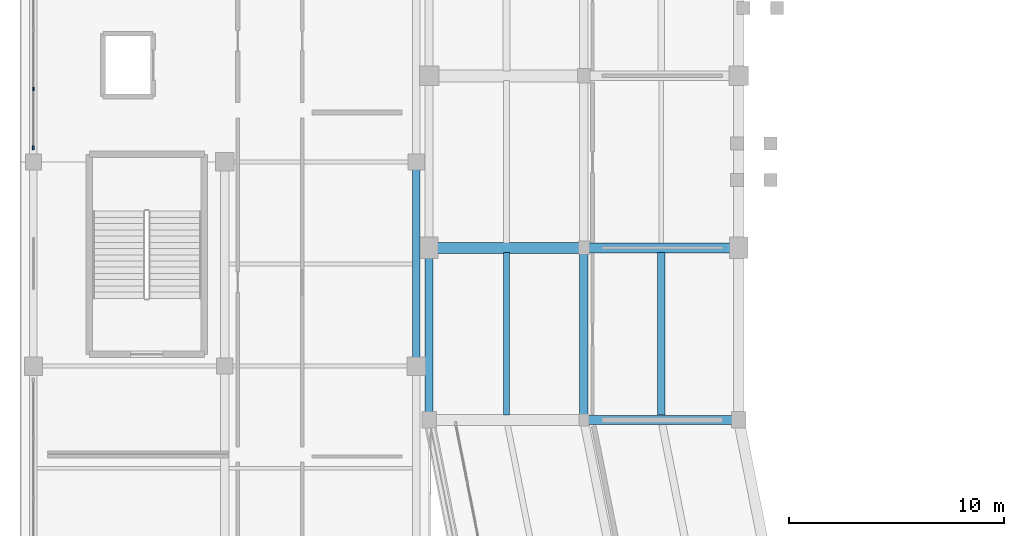
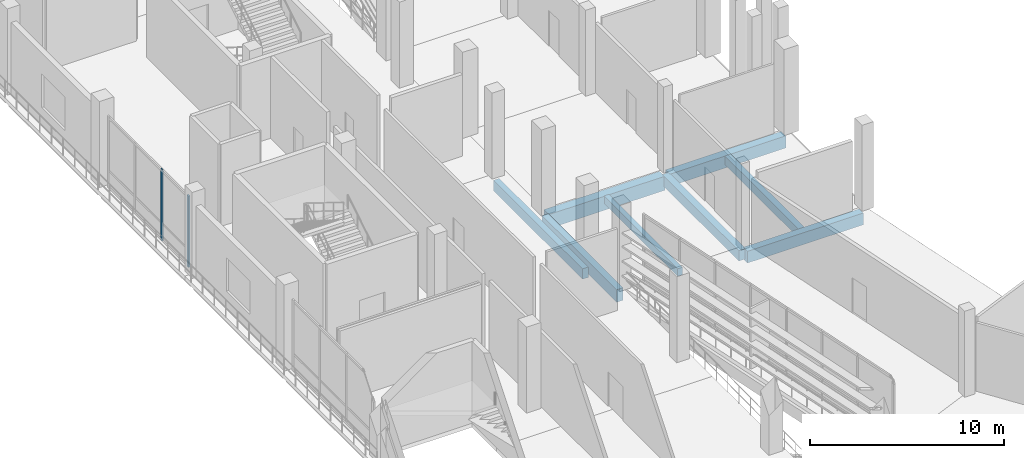
# One storey, part 26 of 114: 8 beams, 2 members, 1 element without a shape of its own.
"""IFC4 building model written with IfcOpenShell, lengths in metres."""

from ifc_helpers import new_model, si_unit, direction, frame, origin, origin_2d, place, context, subcontext, project, spatial, rectangle, extrude, material, material_profile, profile_set, type_object, element, aggregate, save


model = new_model("IFC4")

# Units and contexts
model_context = context("Model", 3, precision=1e-05, world=origin(), true_north=direction((0.0, 1.0)))
body_context = subcontext(model_context, "Body", "Model", "MODEL_VIEW")
ifc_project = project(units=[si_unit("LENGTHUNIT", "METRE"), si_unit("AREAUNIT", "SQUARE_METRE"), si_unit("VOLUMEUNIT", "CUBIC_METRE"), si_unit("PLANEANGLEUNIT", "RADIAN"), si_unit("MASSUNIT", "GRAM", prefix="KILO")], contexts=[model_context])

# Site, building, storey
site_placement = place(None, origin())
site = spatial("IfcSite", under=ifc_project, at=site_placement, CompositionType="ELEMENT")
building_placement = place(site_placement, origin())
building = spatial("IfcBuilding", under=site, at=building_placement, Name="Candeia Ridge Stadium", CompositionType="ELEMENT")
storey_placement = place(building_placement, frame((0.0, 0.0, 5.39990234375)))
storey = spatial("IfcBuildingStorey", under=building, at=storey_placement, Name="L01", CompositionType="ELEMENT", Elevation=5.39990234375)

# Beam
ifc_material_1 = material(Name="Concrete C40/50", Category="concrete")
ifc_material_profile_1 = material_profile(ifc_material_1, rectangle(XDim=0.35009765625, YDim=0.550048828125, at=origin_2d()), Name="RC350x550", Category="concrete")
ifc_profile_set_1 = profile_set([ifc_material_profile_1], Name="Concrete C40/50")
beam_type_1 = type_object("IfcBeamType", Name="Concourse Concrete Joist RC350x550", PredefinedType="JOIST", material=ifc_profile_set_1)
beam_1_placement = place(storey_placement, frame((29.800048828125, 78.778076171875, -0.534912109375), z_axis=(0.0, -1.0, 0.0), x_axis=(1.0, 0.0, 0.0)))
element("IfcBeam", 1, at=beam_1_placement, inside=storey, type_object=beam_type_1, Name="Concourse secondary joist BM-L01-0136", PredefinedType="JOIST", context=body_context, shape_type="SweptSolid", body=[
    extrude(rectangle(XDim=0.35009765625, YDim=0.550048828125, at=origin_2d()), origin(), (0.0, 0.0, 1.0), 7.55615234375),
])

# Curtain wall, members
ifc_material_2 = material(Name="Aluminium Anodized Warm Bronze", Category="aluminium")
curtain_wall_type = type_object("IfcCurtainWallType", Name="Cardinal Entrance Gate Tall Glazed Curtain Wall", PredefinedType="NOTDEFINED", material=ifc_material_2)
curtain_wall_placement = place(storey_placement, origin())
curtain_wall = element("IfcCurtainWall", 2, at=curtain_wall_placement, inside=storey, type_object=curtain_wall_type, Name="Unitised curtain wall CW-WNG-L01-078", PredefinedType="NOTDEFINED")
ifc_material_profile_2 = material_profile(ifc_material_2, rectangle(XDim=0.090087890625, YDim=0.179931640625, at=origin_2d()), Name="CWM-90x180", Category="aluminium")
ifc_profile_set_2 = profile_set([ifc_material_profile_2], Name="Aluminium Anodized Warm Bronze")
member_type_1 = type_object("IfcMemberType", Name="Curtain Wall Primary Mullion 90x180", PredefinedType="MULLION", material=ifc_profile_set_2)
member_1_placement = place(storey_placement, frame((0.60009765625, 83.659912109375, 0.0), z_axis=(0.0, 0.0, 1.0), x_axis=(1.0, 0.0, 0.0)))
member_1 = element("IfcMember", 3, at=member_1_placement, type_object=member_type_1, Name="Curtain wall mullion CW-WNG-L01-078-M0", PredefinedType="MULLION", context=body_context, shape_type="SweptSolid", body=[
    extrude(rectangle(XDim=0.090087890625, YDim=0.179931640625, at=origin_2d()), origin(), (0.0, 0.0, 1.0), 4.47509765625),
])
ifc_material_profile_3 = material_profile(ifc_material_2, rectangle(XDim=0.074951171875, YDim=0.14990234375, at=origin_2d()), Name="CWM-75x150", Category="aluminium")
ifc_profile_set_3 = profile_set([ifc_material_profile_3], Name="Aluminium Anodized Warm Bronze")
member_type_2 = type_object("IfcMemberType", Name="Curtain Wall Secondary Mullion 75x150", PredefinedType="MULLION", material=ifc_profile_set_3)
member_2_placement = place(storey_placement, frame((0.60009765625, 86.38671875, 0.0), z_axis=(0.0, 0.0, 1.0), x_axis=(1.0, 0.0, 0.0)))
member_2 = element("IfcMember", 4, at=member_2_placement, type_object=member_type_2, Name="Curtain wall mullion CW-WNG-L01-078-M1", PredefinedType="MULLION", context=body_context, shape_type="SweptSolid", body=[
    extrude(rectangle(XDim=0.074951171875, YDim=0.14990234375, at=origin_2d()), origin(), (0.0, 0.0, 1.0), 4.47509765625),
])
aggregate(curtain_wall, [member_1, member_2])

# Beams
ifc_material_profile_4 = material_profile(ifc_material_1, rectangle(XDim=0.2900390625, YDim=0.469970703125, at=origin_2d()), Name="RC290x470", Category="concrete")
ifc_profile_set_4 = profile_set([ifc_material_profile_4], Name="Concrete C40/50")
beam_type_2 = type_object("IfcBeamType", Name="Floor Joist RC290x470", PredefinedType="JOIST", material=ifc_profile_set_4)
beam_2_placement = place(storey_placement, frame((22.60009765625, 78.778076171875, -0.494873046875), z_axis=(0.0, -1.0, 0.0), x_axis=(1.0, 0.0, 0.0)))
element("IfcBeam", 5, at=beam_2_placement, inside=storey, type_object=beam_type_2, Name="Concourse secondary joist BM-L01-0137", PredefinedType="JOIST", context=body_context, shape_type="SweptSolid", body=[
    extrude(rectangle(XDim=0.2900390625, YDim=0.469970703125, at=origin_2d()), origin(), (0.0, 0.0, 1.0), 7.55615234375),
])
ifc_material_profile_5 = material_profile(ifc_material_1, rectangle(XDim=0.429931640625, YDim=0.739990234375, at=origin_2d()), Name="RC430x740", Category="concrete")
ifc_profile_set_5 = profile_set([ifc_material_profile_5], Name="Concrete C40/50")
beam_type_3 = type_object("IfcBeamType", Name="Frame Girder RC430x740", PredefinedType="BEAM", material=ifc_profile_set_5)
beam_3_placement = place(storey_placement, frame((33.239990234375, 71.0, -0.6298828125), z_axis=(-1.0, 0.0, 0.0), x_axis=(0.0, -1.0, 0.0)))
element("IfcBeam", 6, at=beam_3_placement, inside=storey, type_object=beam_type_3, Name="Bowl radial girder BM-L01-0029", PredefinedType="BEAM", context=body_context, shape_type="SweptSolid", body=[
    extrude(rectangle(XDim=0.429931640625, YDim=0.739990234375, at=origin_2d()), origin(), (0.0, 0.0, 1.0), 6.8798828125),
])
ifc_material_profile_6 = material_profile(ifc_material_1, rectangle(XDim=0.469970703125, YDim=0.760009765625, at=origin_2d()), Name="RC470x760", Category="concrete")
ifc_profile_set_6 = profile_set([ifc_material_profile_6], Name="Concrete C40/50")
beam_type_4 = type_object("IfcBeamType", Name="Frame Girder RC470x760", PredefinedType="BEAM", material=ifc_profile_set_6)
beam_4_placement = place(storey_placement, frame((33.239990234375, 79.0, -0.639892578125), z_axis=(-1.0, 0.0, 0.0), x_axis=(0.0, -1.0, 0.0)))
element("IfcBeam", 7, at=beam_4_placement, inside=storey, type_object=beam_type_4, Name="Bowl radial girder BM-L01-0027", PredefinedType="BEAM", context=body_context, shape_type="SweptSolid", body=[
    extrude(rectangle(XDim=0.469970703125, YDim=0.760009765625, at=origin_2d()), origin(), (0.0, 0.0, 1.0), 6.8798828125),
])
ifc_material_3 = material(Name="Concrete C45/55", Category="concrete")
ifc_material_profile_7 = material_profile(ifc_material_3, rectangle(XDim=0.52001953125, YDim=0.8798828125, at=origin_2d()), Name="RC520x880", Category="concrete")
ifc_profile_set_7 = profile_set([ifc_material_profile_7], Name="Concrete C45/55")
beam_type_5 = type_object("IfcBeamType", Name="Frame Girder RC520x880", PredefinedType="BEAM", material=ifc_profile_set_7)
beam_5_placement = place(storey_placement, frame((26.0400390625, 79.0, -0.699951171875), z_axis=(-1.0, 0.0, 0.0), x_axis=(0.0, -1.0, 0.0)))
element("IfcBeam", 8, at=beam_5_placement, inside=storey, type_object=beam_type_5, Name="Bowl radial girder BM-L01-0028", PredefinedType="BEAM", context=body_context, shape_type="SweptSolid", body=[
    extrude(rectangle(XDim=0.52001953125, YDim=0.8798828125, at=origin_2d()), origin(), (0.0, 0.0, 1.0), 6.880126953125),
])
ifc_material_profile_8 = material_profile(ifc_material_1, rectangle(XDim=0.35009765625, YDim=0.64990234375, at=origin_2d()), Name="RC350x650", Category="concrete")
ifc_profile_set_8 = profile_set([ifc_material_profile_8], Name="Concrete C40/50")
beam_type_6 = type_object("IfcBeamType", Name="Spandrel Beam RC350x650", PredefinedType="SPANDREL", material=ifc_profile_set_8)
beam_6_placement = place(storey_placement, frame((18.39990234375, 73.659912109375, -0.5849609375), z_axis=(0.0, 1.0, 0.0), x_axis=(-1.0, 0.0, 0.0)))
element("IfcBeam", 9, at=beam_6_placement, inside=storey, type_object=beam_type_6, Name="Structural girder BM-L01-1064", PredefinedType="SPANDREL", context=body_context, shape_type="SweptSolid", body=[
    extrude(rectangle(XDim=0.35009765625, YDim=0.64990234375, at=origin_2d()), origin(), (0.0, 0.0, 1.0), 9.18017578125),
])
ifc_material_profile_9 = material_profile(ifc_material_3, rectangle(XDim=0.3798828125, YDim=0.780029296875, at=origin_2d()), Name="RC380x780", Category="concrete")
ifc_profile_set_9 = profile_set([ifc_material_profile_9], Name="Concrete C45/55")
beam_type_7 = type_object("IfcBeamType", Name="Spandrel Beam RC380x780", PredefinedType="SPANDREL", material=ifc_profile_set_9)
beam_7_placement = place(storey_placement, frame((19.0, 78.840087890625, -0.64990234375), z_axis=(0.0, -1.0, 0.0), x_axis=(1.0, 0.0, 0.0)))
element("IfcBeam", 10, at=beam_7_placement, inside=storey, type_object=beam_type_7, Name="Bowl perimeter spandrel BM-L01-0135", PredefinedType="SPANDREL", context=body_context, shape_type="SweptSolid", body=[
    extrude(rectangle(XDim=0.3798828125, YDim=0.780029296875, at=origin_2d()), origin(), (0.0, 0.0, 1.0), 7.68017578125),
])
ifc_material_profile_10 = material_profile(ifc_material_1, rectangle(XDim=0.39990234375, YDim=0.64990234375, at=origin_2d()), Name="RC400x650", Category="concrete")
ifc_profile_set_10 = profile_set([ifc_material_profile_10], Name="Concrete C40/50")
beam_type_8 = type_object("IfcBeamType", Name="Wing Primary Girder RC400x650", PredefinedType="BEAM", material=ifc_profile_set_10)
beam_8_placement = place(storey_placement, frame((26.199951171875, 78.949951171875, -0.5849609375), z_axis=(0.0, -1.0, 0.0), x_axis=(1.0, 0.0, 0.0)))
element("IfcBeam", 11, at=beam_8_placement, inside=storey, type_object=beam_type_8, Name="Concourse spine girder BM-L01-0134", PredefinedType="BEAM", context=body_context, shape_type="SweptSolid", body=[
    extrude(rectangle(XDim=0.39990234375, YDim=0.64990234375, at=origin_2d()), origin(), (0.0, 0.0, 1.0), 7.89990234375),
])

save(model, "model.ifc")
